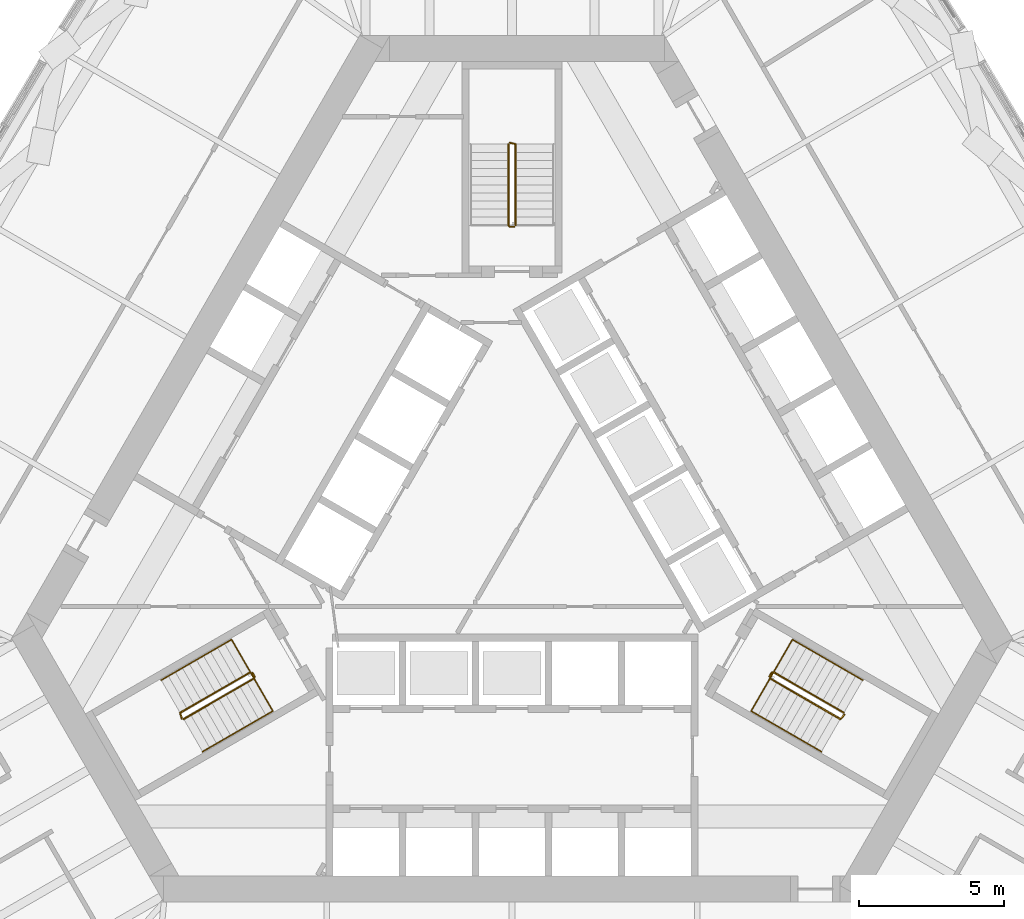
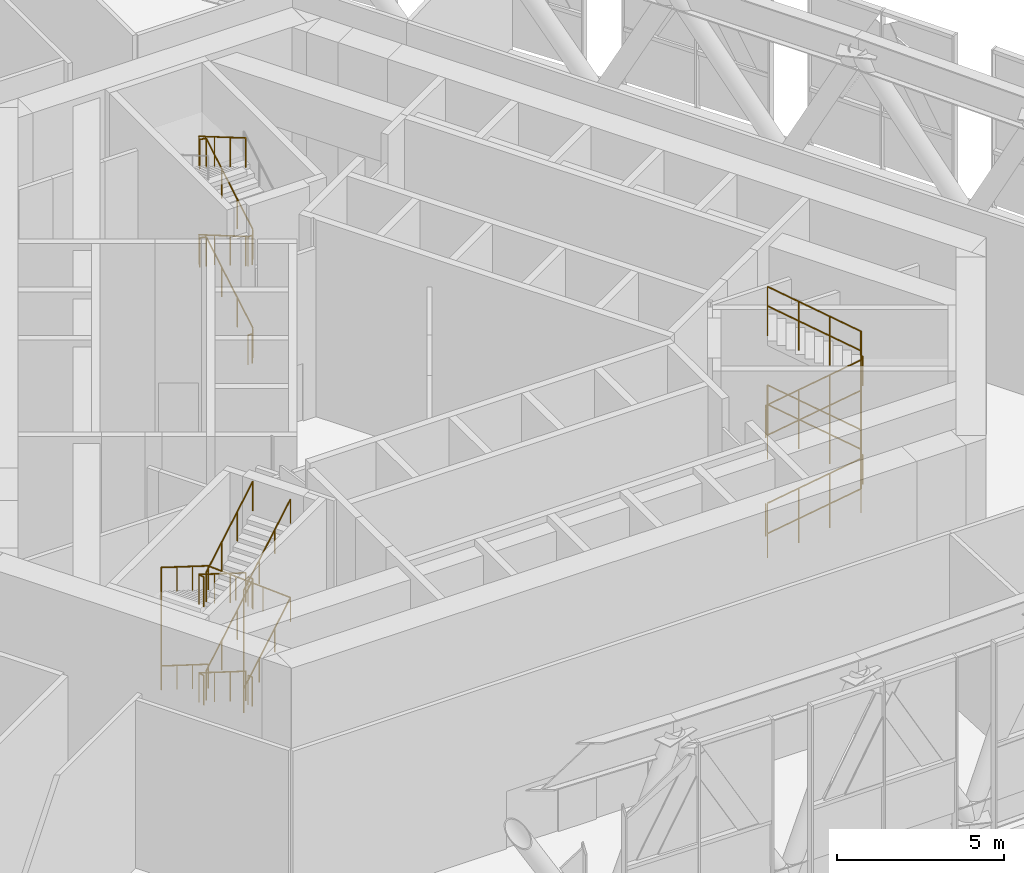
# One storey, part 31 of 33: 17 railings.
"""IFC4 building model written with IfcOpenShell, lengths in metres."""

from ifc_helpers import new_model, si_unit, direction, frame, origin, origin_2d, place, context, subcontext, project, spatial, circle, extrude, material, type_object, element, save


model = new_model("IFC4")

# Units and contexts
model_context = context("Model", 3, precision=1e-05, world=origin(), true_north=direction((0.0, 1.0)))
body_context = subcontext(model_context, "Body", "Model", "MODEL_VIEW")
ifc_project = project(units=[si_unit("LENGTHUNIT", "METRE"), si_unit("AREAUNIT", "SQUARE_METRE"), si_unit("VOLUMEUNIT", "CUBIC_METRE"), si_unit("PLANEANGLEUNIT", "RADIAN"), si_unit("MASSUNIT", "GRAM", prefix="KILO")], contexts=[model_context])

# Site, building, storey
site_placement = place(None, origin())
site = spatial("IfcSite", under=ifc_project, at=site_placement, CompositionType="ELEMENT")
building_placement = place(site_placement, origin())
building = spatial("IfcBuilding", under=site, at=building_placement, Name="Mestral Congress Tower", CompositionType="ELEMENT")
storey_placement = place(building_placement, frame((0.0, 0.0, 134.39990234375)))
storey = spatial("IfcBuildingStorey", under=building, at=storey_placement, Name="L32", CompositionType="ELEMENT", Elevation=134.39990234375)

# Railings
ifc_material_1 = material(Name="Steel balustrade", Category="steel")
railing_type_1 = type_object("IfcRailingType", Name="Stair guard 1100", PredefinedType="GUARDRAIL", material=ifc_material_1)
railing_1_placement = place(storey_placement, frame((8.90087890625, -5.283203125, 0.163818359375)))
element("IfcRailing", 1, at=railing_1_placement, inside=storey, type_object=railing_type_1, Name="L32 ST1 stair guard 1", PredefinedType="GUARDRAIL", context=body_context, shape_type="SweptSolid", body=[
    extrude(circle(Radius=0.02392578125, at=origin_2d()), frame((0.0, 0.0, 1.076171875), z_axis=(0.747693913401, -0.431738279637, 0.504535300807), x_axis=(0.500049511043, 0.865996816683, 0.0)), (0.0, 0.0, 1.0), 3.2431640625),
    extrude(circle(Radius=0.02392578125, at=origin_2d()), frame((2.4248046875, -1.400146484375, 2.71240234375), z_axis=(0.695164929852, 0.718850276695, 0.0), x_axis=(-0.718850276695, 0.695164929852, 0.0)), (0.0, 0.0, 1.0), 0.2060546875),
    extrude(circle(Radius=0.02099609375, at=origin_2d()), origin(), (0.0, 0.0, 1.0), 1.052001953125),
    extrude(circle(Radius=0.02099609375, at=origin_2d()), frame((0.808349609375, -0.466796875, 0.54541015625)), (0.0, 0.0, 1.0), 1.052001953125),
    extrude(circle(Radius=0.02099609375, at=origin_2d()), frame((1.616455078125, -0.933349609375, 1.0908203125)), (0.0, 0.0, 1.0), 1.052001953125),
    extrude(circle(Radius=0.02099609375, at=origin_2d()), frame((2.4248046875, -1.400146484375, 1.63623046875)), (0.0, 0.0, 1.0), 1.052001953125),
    extrude(circle(Radius=0.02099609375, at=origin_2d()), frame((2.568115234375, -1.251953125, 1.63623046875)), (0.0, 0.0, 1.0), 1.052001953125),
])
railing_2_placement = place(storey_placement, frame((11.45068359375, -6.466796875, 1.963623046875)))
element("IfcRailing", 2, at=railing_2_placement, inside=storey, type_object=railing_type_1, Name="L32 ST1 stair guard 2", PredefinedType="GUARDRAIL", context=body_context, shape_type="SweptSolid", body=[
    extrude(circle(Radius=0.02392578125, at=origin_2d()), frame((0.0, 0.0, 1.076171875), z_axis=(-0.747665513933, 0.431721881032, 0.504591415616), x_axis=(-0.500049511043, -0.865996816683, 0.0)), (0.0, 0.0, 1.0), 3.2431640625),
    extrude(circle(Radius=0.02392578125, at=origin_2d()), frame((-2.4248046875, 1.400146484375, 2.71240234375), z_axis=(-0.965948051503, -0.258736085224, 0.0), x_axis=(0.258736085224, -0.965948051503, 0.0)), (0.0, 0.0, 1.0), 0.07080078125),
    extrude(circle(Radius=0.02392578125, at=origin_2d()), frame((-2.4931640625, 1.3818359375, 2.71240234375), z_axis=(-0.499816412211, -0.866131372301, 0.0), x_axis=(0.866131372301, -0.499816412211, 0.0)), (0.0, 0.0, 1.0), 0.14990234375),
    extrude(circle(Radius=0.02099609375, at=origin_2d()), origin(), (0.0, 0.0, 1.0), 1.052001953125),
    extrude(circle(Radius=0.02099609375, at=origin_2d()), frame((-0.808349609375, 0.466796875, 0.54541015625)), (0.0, 0.0, 1.0), 1.052001953125),
    extrude(circle(Radius=0.02099609375, at=origin_2d()), frame((-1.616455078125, 0.933349609375, 1.091064453125)), (0.0, 0.0, 1.0), 1.052001953125),
    extrude(circle(Radius=0.02099609375, at=origin_2d()), frame((-2.4248046875, 1.400146484375, 1.636474609375)), (0.0, 0.0, 1.0), 1.052001953125),
    extrude(circle(Radius=0.02099609375, at=origin_2d()), frame((-2.4931640625, 1.3818359375, 1.636474609375)), (0.0, 0.0, 1.0), 1.052001953125),
    extrude(circle(Radius=0.02099609375, at=origin_2d()), frame((-2.568115234375, 1.251953125, 1.636474609375)), (0.0, 0.0, 1.0), 1.052001953125),
])
railing_3_placement = place(storey_placement, frame((8.90087890625, -5.283203125, 3.763671875)))
element("IfcRailing", 3, at=railing_3_placement, inside=storey, type_object=railing_type_1, Name="L32 ST1 stair guard 3", PredefinedType="GUARDRAIL", context=body_context, shape_type="SweptSolid", body=[
    extrude(circle(Radius=0.02392578125, at=origin_2d()), frame((0.0, 0.0, 1.076171875), z_axis=(0.747665513933, -0.431721881032, 0.504591415616), x_axis=(0.500049511043, 0.865996816683, 0.0)), (0.0, 0.0, 1.0), 3.2431640625),
    extrude(circle(Radius=0.02392578125, at=origin_2d()), frame((2.4248046875, -1.400146484375, 2.71240234375), z_axis=(0.695164929852, 0.718850276695, 0.0), x_axis=(-0.718850276695, 0.695164929852, 0.0)), (0.0, 0.0, 1.0), 0.2060546875),
    extrude(circle(Radius=0.02099609375, at=origin_2d()), origin(), (0.0, 0.0, 1.0), 1.052001953125),
    extrude(circle(Radius=0.02099609375, at=origin_2d()), frame((0.808349609375, -0.466796875, 0.54541015625)), (0.0, 0.0, 1.0), 1.052001953125),
    extrude(circle(Radius=0.02099609375, at=origin_2d()), frame((1.616455078125, -0.933349609375, 1.091064453125)), (0.0, 0.0, 1.0), 1.052001953125),
    extrude(circle(Radius=0.02099609375, at=origin_2d()), frame((2.4248046875, -1.400146484375, 1.636474609375)), (0.0, 0.0, 1.0), 1.052001953125),
    extrude(circle(Radius=0.02099609375, at=origin_2d()), frame((2.568115234375, -1.251953125, 1.636474609375)), (0.0, 0.0, 1.0), 1.052001953125),
])
railing_4_placement = place(storey_placement, frame((11.45068359375, -6.466796875, 5.563720703125)))
element("IfcRailing", 4, at=railing_4_placement, inside=storey, type_object=railing_type_1, Name="L32 ST1 stair guard 4", PredefinedType="GUARDRAIL", context=body_context, shape_type="SweptSolid", body=[
    extrude(circle(Radius=0.02392578125, at=origin_2d()), frame((0.0, 0.0, 1.076171875), z_axis=(-0.747665513933, 0.431721881032, 0.504591415616), x_axis=(-0.500049511043, -0.865996816683, 0.0)), (0.0, 0.0, 1.0), 3.2431640625),
    extrude(circle(Radius=0.02099609375, at=origin_2d()), origin(), (0.0, 0.0, 1.0), 1.052001953125),
    extrude(circle(Radius=0.02099609375, at=origin_2d()), frame((-0.808349609375, 0.466796875, 0.54541015625)), (0.0, 0.0, 1.0), 1.052001953125),
    extrude(circle(Radius=0.02099609375, at=origin_2d()), frame((-1.616455078125, 0.933349609375, 1.091064453125)), (0.0, 0.0, 1.0), 1.052001953125),
    extrude(circle(Radius=0.02099609375, at=origin_2d()), frame((-2.4248046875, 1.400146484375, 1.636474609375)), (0.0, 0.0, 1.0), 1.052001953125),
])
railing_5_placement = place(storey_placement, frame((8.882568359375, -5.21484375, 0.0)))
element("IfcRailing", 5, at=railing_5_placement, inside=storey, type_object=railing_type_1, Name="L32 ST1 stair guard 5", PredefinedType="GUARDRAIL", context=body_context, shape_type="SweptSolid", body=[
    extrude(circle(Radius=0.02392578125, at=origin_2d()), frame((0.0, 0.0, 1.076171875), z_axis=(0.499816412211, 0.866131372301, 0.0), x_axis=(-0.866131372301, 0.499816412211, 0.0)), (0.0, 0.0, 1.0), 0.14990234375),
    extrude(circle(Radius=0.02099609375, at=origin_2d()), origin(), (0.0, 0.0, 1.0), 1.052001953125),
    extrude(circle(Radius=0.02099609375, at=origin_2d()), frame((0.074951171875, 0.1298828125, 0.0)), (0.0, 0.0, 1.0), 1.052001953125),
])
railing_6_placement = place(storey_placement, frame((0.125, 10.35009765625, 0.163818359375)))
element("IfcRailing", 6, at=railing_6_placement, inside=storey, type_object=railing_type_1, Name="L32 ST2 stair guard 1", PredefinedType="GUARDRAIL", context=body_context, shape_type="SweptSolid", body=[
    extrude(circle(Radius=0.02392578125, at=origin_2d()), frame((0.0, 0.0, 1.076171875), z_axis=(0.0, 0.863374499697, 0.504563646405), x_axis=(-1.0, 0.0, 0.0)), (0.0, 0.0, 1.0), 3.242919921875),
    extrude(circle(Radius=0.02392578125, at=origin_2d()), frame((0.0, 2.7998046875, 2.71240234375), z_axis=(-0.970072785993, 0.242814311512, 0.0), x_axis=(-0.242814311512, -0.970072785993, 0.0)), (0.0, 0.0, 1.0), 0.2060546875),
    extrude(circle(Radius=0.02099609375, at=origin_2d()), origin(), (0.0, 0.0, 1.0), 1.052001953125),
    extrude(circle(Radius=0.02099609375, at=origin_2d()), frame((0.0, 0.933349609375, 0.54541015625)), (0.0, 0.0, 1.0), 1.052001953125),
    extrude(circle(Radius=0.02099609375, at=origin_2d()), frame((0.0, 1.866455078125, 1.0908203125)), (0.0, 0.0, 1.0), 1.052001953125),
    extrude(circle(Radius=0.02099609375, at=origin_2d()), frame((0.0, 2.7998046875, 1.63623046875)), (0.0, 0.0, 1.0), 1.052001953125),
    extrude(circle(Radius=0.02099609375, at=origin_2d()), frame((-0.199951171875, 2.849853515625, 1.63623046875)), (0.0, 0.0, 1.0), 1.052001953125),
])
railing_7_placement = place(storey_placement, frame((-0.125, 13.14990234375, 1.963623046875)))
element("IfcRailing", 7, at=railing_7_placement, inside=storey, type_object=railing_type_1, Name="L32 ST2 stair guard 2", PredefinedType="GUARDRAIL", context=body_context, shape_type="SweptSolid", body=[
    extrude(circle(Radius=0.02392578125, at=origin_2d()), frame((0.0, 0.0, 1.076171875), z_axis=(0.0, -0.863341702679, 0.504619762213), x_axis=(1.0, 0.0, 0.0)), (0.0, 0.0, 1.0), 3.242919921875),
    extrude(circle(Radius=0.02392578125, at=origin_2d()), frame((0.0, -2.7998046875, 2.71240234375), z_axis=(0.707106781187, -0.707106781187, 0.0), x_axis=(0.707106781187, 0.707106781187, 0.0)), (0.0, 0.0, 1.0), 0.07080078125),
    extrude(circle(Radius=0.02392578125, at=origin_2d()), frame((0.050048828125, -2.849853515625, 2.71240234375), z_axis=(1.0, 0.0, 0.0), x_axis=(0.0, 1.0, 0.0)), (0.0, 0.0, 1.0), 0.14990234375),
    extrude(circle(Radius=0.02099609375, at=origin_2d()), origin(), (0.0, 0.0, 1.0), 1.052001953125),
    extrude(circle(Radius=0.02099609375, at=origin_2d()), frame((0.0, -0.933349609375, 0.54541015625)), (0.0, 0.0, 1.0), 1.052001953125),
    extrude(circle(Radius=0.02099609375, at=origin_2d()), frame((0.0, -1.866455078125, 1.091064453125)), (0.0, 0.0, 1.0), 1.052001953125),
    extrude(circle(Radius=0.02099609375, at=origin_2d()), frame((0.0, -2.7998046875, 1.636474609375)), (0.0, 0.0, 1.0), 1.052001953125),
    extrude(circle(Radius=0.02099609375, at=origin_2d()), frame((0.050048828125, -2.849853515625, 1.636474609375)), (0.0, 0.0, 1.0), 1.052001953125),
    extrude(circle(Radius=0.02099609375, at=origin_2d()), frame((0.199951171875, -2.849853515625, 1.636474609375)), (0.0, 0.0, 1.0), 1.052001953125),
])
railing_8_placement = place(storey_placement, frame((0.125, 10.35009765625, 3.763671875)))
element("IfcRailing", 8, at=railing_8_placement, inside=storey, type_object=railing_type_1, Name="L32 ST2 stair guard 3", PredefinedType="GUARDRAIL", context=body_context, shape_type="SweptSolid", body=[
    extrude(circle(Radius=0.02392578125, at=origin_2d()), frame((0.0, 0.0, 1.076171875), z_axis=(0.0, 0.863341702679, 0.504619762213), x_axis=(-1.0, 0.0, 0.0)), (0.0, 0.0, 1.0), 3.242919921875),
    extrude(circle(Radius=0.02392578125, at=origin_2d()), frame((0.0, 2.7998046875, 2.71240234375), z_axis=(-0.970072785993, 0.242814311512, 0.0), x_axis=(-0.242814311512, -0.970072785993, 0.0)), (0.0, 0.0, 1.0), 0.2060546875),
    extrude(circle(Radius=0.02099609375, at=origin_2d()), origin(), (0.0, 0.0, 1.0), 1.052001953125),
    extrude(circle(Radius=0.02099609375, at=origin_2d()), frame((0.0, 0.933349609375, 0.54541015625)), (0.0, 0.0, 1.0), 1.052001953125),
    extrude(circle(Radius=0.02099609375, at=origin_2d()), frame((0.0, 1.866455078125, 1.091064453125)), (0.0, 0.0, 1.0), 1.052001953125),
    extrude(circle(Radius=0.02099609375, at=origin_2d()), frame((0.0, 2.7998046875, 1.636474609375)), (0.0, 0.0, 1.0), 1.052001953125),
    extrude(circle(Radius=0.02099609375, at=origin_2d()), frame((-0.199951171875, 2.849853515625, 1.636474609375)), (0.0, 0.0, 1.0), 1.052001953125),
])
railing_9_placement = place(storey_placement, frame((-0.125, 13.14990234375, 5.563720703125)))
element("IfcRailing", 9, at=railing_9_placement, inside=storey, type_object=railing_type_1, Name="L32 ST2 stair guard 4", PredefinedType="GUARDRAIL", context=body_context, shape_type="SweptSolid", body=[
    extrude(circle(Radius=0.02392578125, at=origin_2d()), frame((0.0, 0.0, 1.076171875), z_axis=(0.0, -0.863341702679, 0.504619762213), x_axis=(1.0, 0.0, 0.0)), (0.0, 0.0, 1.0), 3.242919921875),
    extrude(circle(Radius=0.02099609375, at=origin_2d()), origin(), (0.0, 0.0, 1.0), 1.052001953125),
    extrude(circle(Radius=0.02099609375, at=origin_2d()), frame((0.0, -0.933349609375, 0.54541015625)), (0.0, 0.0, 1.0), 1.052001953125),
    extrude(circle(Radius=0.02099609375, at=origin_2d()), frame((0.0, -1.866455078125, 1.091064453125)), (0.0, 0.0, 1.0), 1.052001953125),
    extrude(circle(Radius=0.02099609375, at=origin_2d()), frame((0.0, -2.7998046875, 1.636474609375)), (0.0, 0.0, 1.0), 1.052001953125),
])
railing_10_placement = place(storey_placement, frame((0.074951171875, 10.300048828125, 0.0)))
element("IfcRailing", 10, at=railing_10_placement, inside=storey, type_object=railing_type_1, Name="L32 ST2 stair guard 5", PredefinedType="GUARDRAIL", context=body_context, shape_type="SweptSolid", body=[
    extrude(circle(Radius=0.02392578125, at=origin_2d()), frame((0.0, 0.0, 1.076171875), z_axis=(-1.0, 0.0, 0.0), x_axis=(0.0, -1.0, 0.0)), (0.0, 0.0, 1.0), 0.14990234375),
    extrude(circle(Radius=0.02099609375, at=origin_2d()), origin(), (0.0, 0.0, 1.0), 1.052001953125),
    extrude(circle(Radius=0.02099609375, at=origin_2d()), frame((-0.14990234375, 0.0, 0.0)), (0.0, 0.0, 1.0), 1.052001953125),
])
railing_11_placement = place(storey_placement, frame((-9.02587890625, -5.066650390625, 0.163818359375)))
element("IfcRailing", 11, at=railing_11_placement, inside=storey, type_object=railing_type_1, Name="L32 ST3 stair guard 1", PredefinedType="GUARDRAIL", context=body_context, shape_type="SweptSolid", body=[
    extrude(circle(Radius=0.02392578125, at=origin_2d()), frame((0.0, 0.0, 1.076171875), z_axis=(-0.747693913401, -0.431738279637, 0.504535300807), x_axis=(0.500049511043, -0.865996816683, 0.0)), (0.0, 0.0, 1.0), 3.2431640625),
    extrude(circle(Radius=0.02392578125, at=origin_2d()), frame((-2.4248046875, -1.400146484375, 2.71240234375), z_axis=(0.274721127897, -0.961523947641, 0.0), x_axis=(0.961523947641, 0.274721127897, 0.0)), (0.0, 0.0, 1.0), 0.2060546875),
    extrude(circle(Radius=0.02099609375, at=origin_2d()), origin(), (0.0, 0.0, 1.0), 1.052001953125),
    extrude(circle(Radius=0.02099609375, at=origin_2d()), frame((-0.808349609375, -0.466796875, 0.54541015625)), (0.0, 0.0, 1.0), 1.052001953125),
    extrude(circle(Radius=0.02099609375, at=origin_2d()), frame((-1.616455078125, -0.933349609375, 1.0908203125)), (0.0, 0.0, 1.0), 1.052001953125),
    extrude(circle(Radius=0.02099609375, at=origin_2d()), frame((-2.4248046875, -1.400146484375, 1.63623046875)), (0.0, 0.0, 1.0), 1.052001953125),
    extrude(circle(Radius=0.02099609375, at=origin_2d()), frame((-2.3681640625, -1.598388671875, 1.63623046875)), (0.0, 0.0, 1.0), 1.052001953125),
])
railing_12_placement = place(storey_placement, frame((-11.32568359375, -6.683349609375, 1.963623046875)))
element("IfcRailing", 12, at=railing_12_placement, inside=storey, type_object=railing_type_1, Name="L32 ST3 stair guard 2", PredefinedType="GUARDRAIL", context=body_context, shape_type="SweptSolid", body=[
    extrude(circle(Radius=0.02392578125, at=origin_2d()), frame((0.0, 0.0, 1.076171875), z_axis=(0.747665513933, 0.431721881032, 0.504591415616), x_axis=(-0.500049511043, 0.865996816683, 0.0)), (0.0, 0.0, 1.0), 3.2431640625),
    extrude(circle(Radius=0.02392578125, at=origin_2d()), frame((2.4248046875, 1.400146484375, 2.71240234375), z_axis=(0.258736085224, 0.965948051503, 0.0), x_axis=(-0.965948051503, 0.258736085224, 0.0)), (0.0, 0.0, 1.0), 0.07080078125),
    extrude(circle(Radius=0.02392578125, at=origin_2d()), frame((2.443115234375, 1.468505859375, 2.71240234375), z_axis=(-0.499816412211, 0.866131372301, 0.0), x_axis=(-0.866131372301, -0.499816412211, 0.0)), (0.0, 0.0, 1.0), 0.14990234375),
    extrude(circle(Radius=0.02099609375, at=origin_2d()), origin(), (0.0, 0.0, 1.0), 1.052001953125),
    extrude(circle(Radius=0.02099609375, at=origin_2d()), frame((0.808349609375, 0.466796875, 0.54541015625)), (0.0, 0.0, 1.0), 1.052001953125),
    extrude(circle(Radius=0.02099609375, at=origin_2d()), frame((1.616455078125, 0.933349609375, 1.091064453125)), (0.0, 0.0, 1.0), 1.052001953125),
    extrude(circle(Radius=0.02099609375, at=origin_2d()), frame((2.4248046875, 1.400146484375, 1.636474609375)), (0.0, 0.0, 1.0), 1.052001953125),
    extrude(circle(Radius=0.02099609375, at=origin_2d()), frame((2.443115234375, 1.468505859375, 1.636474609375)), (0.0, 0.0, 1.0), 1.052001953125),
    extrude(circle(Radius=0.02099609375, at=origin_2d()), frame((2.3681640625, 1.598388671875, 1.636474609375)), (0.0, 0.0, 1.0), 1.052001953125),
])
railing_13_placement = place(storey_placement, frame((-9.02587890625, -5.066650390625, 3.763671875)))
element("IfcRailing", 13, at=railing_13_placement, inside=storey, type_object=railing_type_1, Name="L32 ST3 stair guard 3", PredefinedType="GUARDRAIL", context=body_context, shape_type="SweptSolid", body=[
    extrude(circle(Radius=0.02392578125, at=origin_2d()), frame((0.0, 0.0, 1.076171875), z_axis=(-0.747665513933, -0.431721881032, 0.504591415616), x_axis=(0.500049511043, -0.865996816683, 0.0)), (0.0, 0.0, 1.0), 3.2431640625),
    extrude(circle(Radius=0.02392578125, at=origin_2d()), frame((-2.4248046875, -1.400146484375, 2.71240234375), z_axis=(0.274721127897, -0.961523947641, 0.0), x_axis=(0.961523947641, 0.274721127897, 0.0)), (0.0, 0.0, 1.0), 0.2060546875),
    extrude(circle(Radius=0.02099609375, at=origin_2d()), origin(), (0.0, 0.0, 1.0), 1.052001953125),
    extrude(circle(Radius=0.02099609375, at=origin_2d()), frame((-0.808349609375, -0.466796875, 0.54541015625)), (0.0, 0.0, 1.0), 1.052001953125),
    extrude(circle(Radius=0.02099609375, at=origin_2d()), frame((-1.616455078125, -0.933349609375, 1.091064453125)), (0.0, 0.0, 1.0), 1.052001953125),
    extrude(circle(Radius=0.02099609375, at=origin_2d()), frame((-2.4248046875, -1.400146484375, 1.636474609375)), (0.0, 0.0, 1.0), 1.052001953125),
    extrude(circle(Radius=0.02099609375, at=origin_2d()), frame((-2.3681640625, -1.598388671875, 1.636474609375)), (0.0, 0.0, 1.0), 1.052001953125),
])
railing_14_placement = place(storey_placement, frame((-11.32568359375, -6.683349609375, 5.563720703125)))
element("IfcRailing", 14, at=railing_14_placement, inside=storey, type_object=railing_type_1, Name="L32 ST3 stair guard 4", PredefinedType="GUARDRAIL", context=body_context, shape_type="SweptSolid", body=[
    extrude(circle(Radius=0.02392578125, at=origin_2d()), frame((0.0, 0.0, 1.076171875), z_axis=(0.747665513933, 0.431721881032, 0.504591415616), x_axis=(-0.500049511043, 0.865996816683, 0.0)), (0.0, 0.0, 1.0), 3.2431640625),
    extrude(circle(Radius=0.02099609375, at=origin_2d()), origin(), (0.0, 0.0, 1.0), 1.052001953125),
    extrude(circle(Radius=0.02099609375, at=origin_2d()), frame((0.808349609375, 0.466796875, 0.54541015625)), (0.0, 0.0, 1.0), 1.052001953125),
    extrude(circle(Radius=0.02099609375, at=origin_2d()), frame((1.616455078125, 0.933349609375, 1.091064453125)), (0.0, 0.0, 1.0), 1.052001953125),
    extrude(circle(Radius=0.02099609375, at=origin_2d()), frame((2.4248046875, 1.400146484375, 1.636474609375)), (0.0, 0.0, 1.0), 1.052001953125),
])
railing_15_placement = place(storey_placement, frame((-8.95751953125, -5.0849609375, 0.0)))
element("IfcRailing", 15, at=railing_15_placement, inside=storey, type_object=railing_type_1, Name="L32 ST3 stair guard 5", PredefinedType="GUARDRAIL", context=body_context, shape_type="SweptSolid", body=[
    extrude(circle(Radius=0.02392578125, at=origin_2d()), frame((0.0, 0.0, 1.076171875), z_axis=(0.499816412211, -0.866131372301, 0.0), x_axis=(0.866131372301, 0.499816412211, 0.0)), (0.0, 0.0, 1.0), 0.14990234375),
    extrude(circle(Radius=0.02099609375, at=origin_2d()), origin(), (0.0, 0.0, 1.0), 1.052001953125),
    extrude(circle(Radius=0.02099609375, at=origin_2d()), frame((0.074951171875, -0.1298828125, 0.0)), (0.0, 0.0, 1.0), 1.052001953125),
])
ifc_material_2 = material(Name="Steel handrail", Category="steel")
railing_type_2 = type_object("IfcRailingType", Name="Stair handrail 900", PredefinedType="HANDRAIL", material=ifc_material_2)
railing_16_placement = place(storey_placement, frame((8.2509765625, -6.4091796875, 0.163818359375)))
element("IfcRailing", 16, at=railing_16_placement, inside=storey, type_object=railing_type_2, Name="L32 ST1 stair handrail 1", PredefinedType="HANDRAIL", context=body_context, shape_type="SweptSolid", body=[
    extrude(circle(Radius=0.02392578125, at=origin_2d()), frame((0.0, 0.0, 0.8759765625), z_axis=(0.74771821388, -0.431677027627, 0.504551698492), x_axis=(0.49998411664, 0.866034573852, 0.0)), (0.0, 0.0, 1.0), 3.242919921875),
    extrude(circle(Radius=0.02392578125, at=origin_2d()), frame((2.4248046875, -1.39990234375, 2.51220703125), z_axis=(0.0, 0.0, 1.0), x_axis=(1.0, 0.0, 0.0)), (0.0, 0.0, 1.0), 3.60009765625),
    extrude(circle(Radius=0.02392578125, at=origin_2d()), frame((2.4248046875, -1.39990234375, 6.1123046875), z_axis=(-0.747689811644, 0.431660630283, -0.504607813879), x_axis=(-0.49998411664, -0.866034573852, 0.0)), (0.0, 0.0, 1.0), 3.2431640625),
    extrude(circle(Radius=0.02392578125, at=origin_2d()), frame((0.0, 0.0, 4.4755859375), z_axis=(0.499113622673, 0.864639946063, -0.057300570115), x_axis=(-0.866062911188, 0.499935029643, 0.0)), (0.0, 0.0, 1.0), 2.854736328125),
    extrude(circle(Radius=0.02392578125, at=origin_2d()), frame((1.4248046875, 2.46826171875, 4.31201171875), z_axis=(0.747723004699, -0.431636334334, -0.504579412111), x_axis=(0.49994636267, 0.866056369097, 0.0)), (0.0, 0.0, 1.0), 3.2431640625),
    extrude(circle(Radius=0.02392578125, at=origin_2d()), frame((3.849853515625, 1.068359375, 2.67578125), z_axis=(0.0, 0.0, 1.0), x_axis=(1.0, 0.0, 0.0)), (0.0, 0.0, 1.0), 3.60009765625),
    extrude(circle(Radius=0.02392578125, at=origin_2d()), frame((3.849853515625, 1.068359375, 6.27587890625), z_axis=(-0.747723004699, 0.431636334334, 0.504579412111), x_axis=(-0.49994636267, -0.866056369097, 0.0)), (0.0, 0.0, 1.0), 3.2431640625),
    extrude(circle(Radius=0.02099609375, at=origin_2d()), origin(), (0.0, 0.0, 1.0), 0.851806640625),
    extrude(circle(Radius=0.02099609375, at=origin_2d()), frame((0.808349609375, -0.466552734375, 0.54541015625)), (0.0, 0.0, 1.0), 0.851806640625),
    extrude(circle(Radius=0.02099609375, at=origin_2d()), frame((1.616455078125, -0.933349609375, 1.0908203125)), (0.0, 0.0, 1.0), 0.851806640625),
    extrude(circle(Radius=0.02099609375, at=origin_2d()), frame((2.4248046875, -1.39990234375, 1.63623046875)), (0.0, 0.0, 1.0), 0.851806640625),
    extrude(circle(Radius=0.02099609375, at=origin_2d()), frame((2.4248046875, -1.39990234375, 2.5361328125)), (0.0, 0.0, 1.0), 0.851806640625),
    extrude(circle(Radius=0.02099609375, at=origin_2d()), frame((2.4248046875, -1.39990234375, 3.436279296875)), (0.0, 0.0, 1.0), 0.851806640625),
    extrude(circle(Radius=0.02099609375, at=origin_2d()), frame((2.4248046875, -1.39990234375, 4.33642578125)), (0.0, 0.0, 1.0), 0.851806640625),
    extrude(circle(Radius=0.02099609375, at=origin_2d()), frame((2.4248046875, -1.39990234375, 5.236328125)), (0.0, 0.0, 1.0), 0.851806640625),
    extrude(circle(Radius=0.02099609375, at=origin_2d()), frame((1.616455078125, -0.933349609375, 4.69091796875)), (0.0, 0.0, 1.0), 0.851806640625),
    extrude(circle(Radius=0.02099609375, at=origin_2d()), frame((0.808349609375, -0.466552734375, 4.145263671875)), (0.0, 0.0, 1.0), 0.851806640625),
    extrude(circle(Radius=0.02099609375, at=origin_2d()), frame((0.0, 0.0, 3.599853515625)), (0.0, 0.0, 1.0), 0.851806640625),
    extrude(circle(Radius=0.02099609375, at=origin_2d()), frame((0.474853515625, 0.82275390625, 3.54541015625)), (0.0, 0.0, 1.0), 0.851806640625),
    extrude(circle(Radius=0.02099609375, at=origin_2d()), frame((0.949951171875, 1.6455078125, 3.49072265625)), (0.0, 0.0, 1.0), 0.851806640625),
    extrude(circle(Radius=0.02099609375, at=origin_2d()), frame((1.4248046875, 2.46826171875, 3.436279296875)), (0.0, 0.0, 1.0), 0.851806640625),
    extrude(circle(Radius=0.02099609375, at=origin_2d()), frame((2.233154296875, 2.001708984375, 2.890869140625)), (0.0, 0.0, 1.0), 0.851806640625),
    extrude(circle(Radius=0.02099609375, at=origin_2d()), frame((3.04150390625, 1.534912109375, 2.34521484375)), (0.0, 0.0, 1.0), 0.851806640625),
    extrude(circle(Radius=0.02099609375, at=origin_2d()), frame((3.849853515625, 1.068359375, 1.7998046875)), (0.0, 0.0, 1.0), 0.851806640625),
    extrude(circle(Radius=0.02099609375, at=origin_2d()), frame((3.849853515625, 1.068359375, 2.69970703125)), (0.0, 0.0, 1.0), 0.851806640625),
    extrude(circle(Radius=0.02099609375, at=origin_2d()), frame((3.849853515625, 1.068359375, 3.599853515625)), (0.0, 0.0, 1.0), 0.851806640625),
    extrude(circle(Radius=0.02099609375, at=origin_2d()), frame((3.849853515625, 1.068359375, 4.5)), (0.0, 0.0, 1.0), 0.851806640625),
    extrude(circle(Radius=0.02099609375, at=origin_2d()), frame((3.849853515625, 1.068359375, 5.39990234375)), (0.0, 0.0, 1.0), 0.851806640625),
    extrude(circle(Radius=0.02099609375, at=origin_2d()), frame((3.04150390625, 1.534912109375, 5.9453125)), (0.0, 0.0, 1.0), 0.851806640625),
    extrude(circle(Radius=0.02099609375, at=origin_2d()), frame((2.233154296875, 2.001708984375, 6.490966796875)), (0.0, 0.0, 1.0), 0.851806640625),
    extrude(circle(Radius=0.02099609375, at=origin_2d()), frame((1.4248046875, 2.46826171875, 7.036376953125)), (0.0, 0.0, 1.0), 0.851806640625),
])
railing_17_placement = place(storey_placement, frame((-9.67578125, -3.94091796875, 0.163818359375)))
element("IfcRailing", 17, at=railing_17_placement, inside=storey, type_object=railing_type_2, Name="L32 ST3 stair handrail 1", PredefinedType="HANDRAIL", context=body_context, shape_type="SweptSolid", body=[
    extrude(circle(Radius=0.02392578125, at=origin_2d()), frame((0.0, 0.0, 0.8759765625), z_axis=(-0.747751404999, -0.43165272891, 0.504523297725), x_axis=(0.49994636267, -0.866056369097, 0.0)), (0.0, 0.0, 1.0), 3.2431640625),
    extrude(circle(Radius=0.02392578125, at=origin_2d()), frame((-2.425048828125, -1.39990234375, 2.51220703125), z_axis=(0.0, 0.0, 1.0), x_axis=(1.0, 0.0, 0.0)), (0.0, 0.0, 1.0), 3.60009765625),
    extrude(circle(Radius=0.02392578125, at=origin_2d()), frame((-2.425048828125, -1.39990234375, 6.1123046875), z_axis=(0.747723004699, 0.431636334334, -0.504579412111), x_axis=(-0.49994636267, 0.866056369097, 0.0)), (0.0, 0.0, 1.0), 3.2431640625),
    extrude(circle(Radius=0.02392578125, at=origin_2d()), frame((0.0, 0.0, 4.4755859375), z_axis=(0.499113622673, -0.864639946063, -0.057300570115), x_axis=(0.866062911188, 0.499935029643, 0.0)), (0.0, 0.0, 1.0), 2.854736328125),
    extrude(circle(Radius=0.02392578125, at=origin_2d()), frame((1.4248046875, -2.46826171875, 4.31201171875), z_axis=(-0.747689811644, -0.431660630283, -0.504607813879), x_axis=(0.49998411664, -0.866034573852, 0.0)), (0.0, 0.0, 1.0), 3.2431640625),
    extrude(circle(Radius=0.02392578125, at=origin_2d()), frame((-1.0, -3.8681640625, 2.67578125), z_axis=(0.0, 0.0, 1.0), x_axis=(1.0, 0.0, 0.0)), (0.0, 0.0, 1.0), 3.60009765625),
    extrude(circle(Radius=0.02392578125, at=origin_2d()), frame((-1.0, -3.8681640625, 6.27587890625), z_axis=(0.747689811644, 0.431660630283, 0.504607813879), x_axis=(-0.49998411664, 0.866034573852, 0.0)), (0.0, 0.0, 1.0), 3.2431640625),
    extrude(circle(Radius=0.02099609375, at=origin_2d()), origin(), (0.0, 0.0, 1.0), 0.851806640625),
    extrude(circle(Radius=0.02099609375, at=origin_2d()), frame((-0.808349609375, -0.466552734375, 0.54541015625)), (0.0, 0.0, 1.0), 0.851806640625),
    extrude(circle(Radius=0.02099609375, at=origin_2d()), frame((-1.61669921875, -0.933349609375, 1.0908203125)), (0.0, 0.0, 1.0), 0.851806640625),
    extrude(circle(Radius=0.02099609375, at=origin_2d()), frame((-2.425048828125, -1.39990234375, 1.63623046875)), (0.0, 0.0, 1.0), 0.851806640625),
    extrude(circle(Radius=0.02099609375, at=origin_2d()), frame((-2.425048828125, -1.39990234375, 2.5361328125)), (0.0, 0.0, 1.0), 0.851806640625),
    extrude(circle(Radius=0.02099609375, at=origin_2d()), frame((-2.425048828125, -1.39990234375, 3.436279296875)), (0.0, 0.0, 1.0), 0.851806640625),
    extrude(circle(Radius=0.02099609375, at=origin_2d()), frame((-2.425048828125, -1.39990234375, 4.33642578125)), (0.0, 0.0, 1.0), 0.851806640625),
    extrude(circle(Radius=0.02099609375, at=origin_2d()), frame((-2.425048828125, -1.39990234375, 5.236328125)), (0.0, 0.0, 1.0), 0.851806640625),
    extrude(circle(Radius=0.02099609375, at=origin_2d()), frame((-1.61669921875, -0.933349609375, 4.69091796875)), (0.0, 0.0, 1.0), 0.851806640625),
    extrude(circle(Radius=0.02099609375, at=origin_2d()), frame((-0.808349609375, -0.466552734375, 4.145263671875)), (0.0, 0.0, 1.0), 0.851806640625),
    extrude(circle(Radius=0.02099609375, at=origin_2d()), frame((0.0, 0.0, 3.599853515625)), (0.0, 0.0, 1.0), 0.851806640625),
    extrude(circle(Radius=0.02099609375, at=origin_2d()), frame((0.474853515625, -0.82275390625, 3.54541015625)), (0.0, 0.0, 1.0), 0.851806640625),
    extrude(circle(Radius=0.02099609375, at=origin_2d()), frame((0.949951171875, -1.6455078125, 3.49072265625)), (0.0, 0.0, 1.0), 0.851806640625),
    extrude(circle(Radius=0.02099609375, at=origin_2d()), frame((1.4248046875, -2.46826171875, 3.436279296875)), (0.0, 0.0, 1.0), 0.851806640625),
    extrude(circle(Radius=0.02099609375, at=origin_2d()), frame((0.616455078125, -2.934814453125, 2.890869140625)), (0.0, 0.0, 1.0), 0.851806640625),
    extrude(circle(Radius=0.02099609375, at=origin_2d()), frame((-0.191650390625, -3.401611328125, 2.34521484375)), (0.0, 0.0, 1.0), 0.851806640625),
    extrude(circle(Radius=0.02099609375, at=origin_2d()), frame((-1.0, -3.8681640625, 1.7998046875)), (0.0, 0.0, 1.0), 0.851806640625),
    extrude(circle(Radius=0.02099609375, at=origin_2d()), frame((-1.0, -3.8681640625, 2.69970703125)), (0.0, 0.0, 1.0), 0.851806640625),
    extrude(circle(Radius=0.02099609375, at=origin_2d()), frame((-1.0, -3.8681640625, 3.599853515625)), (0.0, 0.0, 1.0), 0.851806640625),
    extrude(circle(Radius=0.02099609375, at=origin_2d()), frame((-1.0, -3.8681640625, 4.5)), (0.0, 0.0, 1.0), 0.851806640625),
    extrude(circle(Radius=0.02099609375, at=origin_2d()), frame((-1.0, -3.8681640625, 5.39990234375)), (0.0, 0.0, 1.0), 0.851806640625),
    extrude(circle(Radius=0.02099609375, at=origin_2d()), frame((-0.191650390625, -3.401611328125, 5.9453125)), (0.0, 0.0, 1.0), 0.851806640625),
    extrude(circle(Radius=0.02099609375, at=origin_2d()), frame((0.616455078125, -2.934814453125, 6.490966796875)), (0.0, 0.0, 1.0), 0.851806640625),
    extrude(circle(Radius=0.02099609375, at=origin_2d()), frame((1.4248046875, -2.46826171875, 7.036376953125)), (0.0, 0.0, 1.0), 0.851806640625),
])

save(model, "model.ifc")
